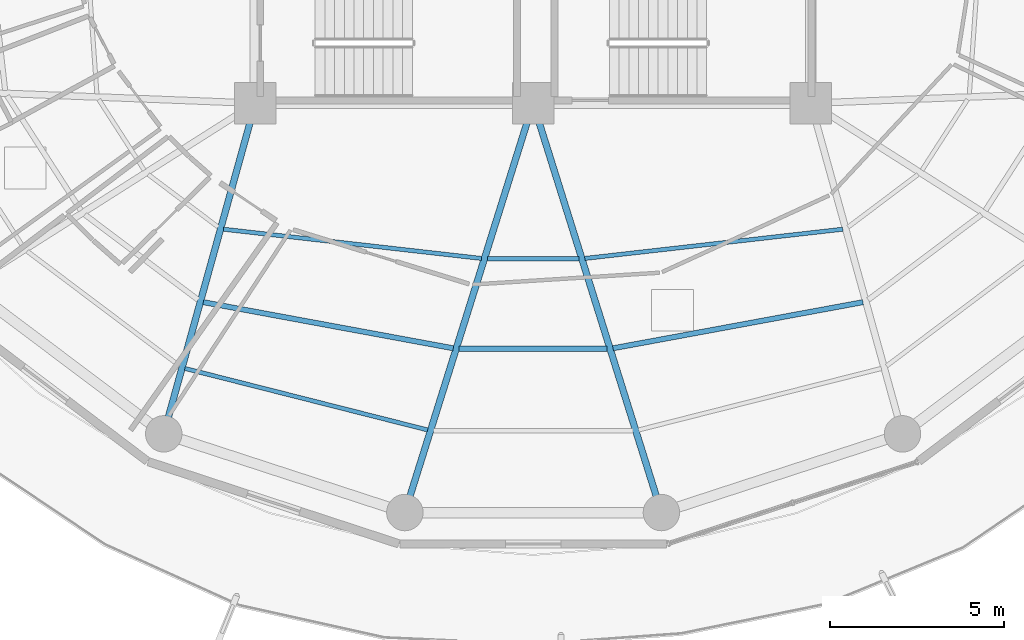
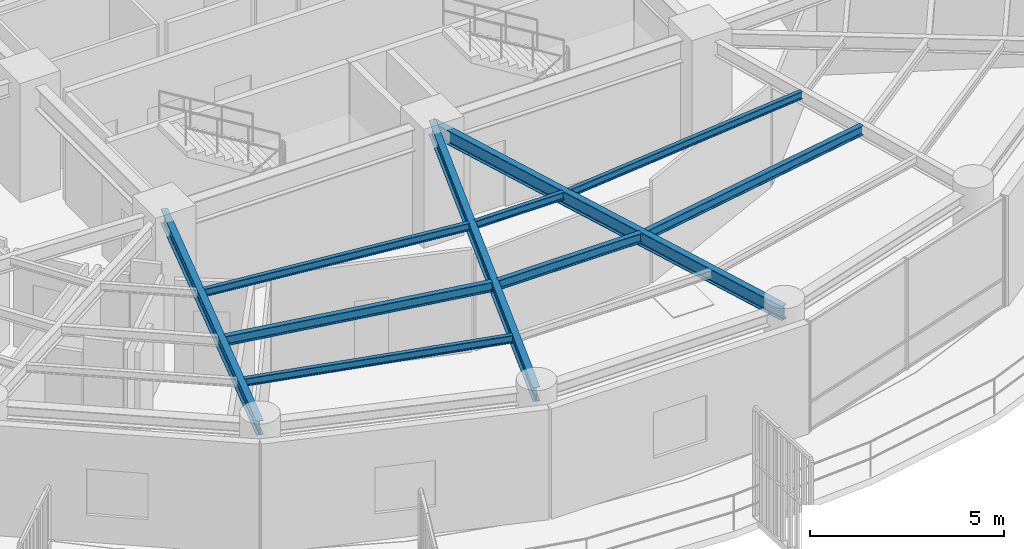
# One storey, part 5 of 30: 10 beams.
"""IFC4 building model written with IfcOpenShell, lengths in metres."""

from ifc_helpers import new_model, si_unit, direction, frame, origin, origin_2d, place, context, subcontext, project, spatial, i_section, extrude, material, material_profile, profile_set, type_object, element, save


model = new_model("IFC4")

# Units and contexts
model_context = context("Model", 3, precision=1e-05, world=origin(), true_north=direction((0.0, 1.0)))
body_context = subcontext(model_context, "Body", "Model", "MODEL_VIEW")
ifc_project = project(units=[si_unit("LENGTHUNIT", "METRE"), si_unit("AREAUNIT", "SQUARE_METRE"), si_unit("VOLUMEUNIT", "CUBIC_METRE"), si_unit("PLANEANGLEUNIT", "RADIAN"), si_unit("MASSUNIT", "GRAM", prefix="KILO")], contexts=[model_context])

# Site, building, storey
site_placement = place(None, origin())
site = spatial("IfcSite", under=ifc_project, at=site_placement, CompositionType="ELEMENT")
building_placement = place(site_placement, origin())
building = spatial("IfcBuilding", under=site, at=building_placement, Name="Kelanora Arch Commons", CompositionType="ELEMENT")
storey_placement = place(building_placement, frame((0.0, 0.0, 211.949951171875)))
storey = spatial("IfcBuildingStorey", under=building, at=storey_placement, Name="L54", CompositionType="ELEMENT", Elevation=211.949951171875)

# Beams
ifc_material = material(Name="Steel S355", Category="steel")
ifc_material_profile_1 = material_profile(ifc_material, i_section(OverallWidth=0.14990234375, OverallDepth=0.300048828125, WebThickness=0.007080078125, FlangeThickness=0.0107421875, FilletRadius=0.014892578125, at=origin_2d()), Name="IPE300")
ifc_profile_set_1 = profile_set([ifc_material_profile_1], Name="Steel S355")
beam_type_1 = type_object("IfcBeamType", Name="BM-JST-01", PredefinedType="JOIST", material=ifc_profile_set_1)
beam_1_placement = place(storey_placement, frame((64.49951171875, 45.270263671875, 3.340087890625), z_axis=(0.983389964671, -0.181505309519, 0.0), x_axis=(0.181505309519, 0.983389964671, 0.0)))
element("IfcBeam", 1, at=beam_1_placement, inside=storey, type_object=beam_type_1, Name="Secondary Chord Joist BJB-24 L54", PredefinedType="JOIST", context=body_context, shape_type="SweptSolid", body=[
    extrude(i_section(OverallWidth=0.14990234375, OverallDepth=0.300048828125, WebThickness=0.007080078125, FlangeThickness=0.0107421875, FilletRadius=0.014892578125, at=origin_2d()), origin(), (0.0, 0.0, 1.0), 7.3212890625),
])
beam_2_placement = place(storey_placement, frame((71.867919921875, 43.92578125, 3.340087890625), z_axis=(1.0, 0.0, 0.0), x_axis=(0.0, 1.0, 0.0)))
element("IfcBeam", 2, at=beam_2_placement, inside=storey, type_object=beam_type_1, Name="Secondary Chord Joist BJB-26 L54", PredefinedType="JOIST", context=body_context, shape_type="SweptSolid", body=[
    extrude(i_section(OverallWidth=0.14990234375, OverallDepth=0.300048828125, WebThickness=0.007080078125, FlangeThickness=0.0107421875, FilletRadius=0.014892578125, at=origin_2d()), origin(), (0.0, 0.0, 1.0), 4.26416015625),
])
beam_3_placement = place(storey_placement, frame((76.30078125, 43.94140625, 3.340087890625), z_axis=(0.983389964671, 0.181505309519, 0.0), x_axis=(-0.181505309519, 0.983389964671, 0.0)))
element("IfcBeam", 3, at=beam_3_placement, inside=storey, type_object=beam_type_1, Name="Secondary Chord Joist BJB-28 L54", PredefinedType="JOIST", context=body_context, shape_type="SweptSolid", body=[
    extrude(i_section(OverallWidth=0.14990234375, OverallDepth=0.300048828125, WebThickness=0.007080078125, FlangeThickness=0.0107421875, FilletRadius=0.014892578125, at=origin_2d()), origin(), (0.0, 0.0, 1.0), 7.3212890625),
])
ifc_material_profile_2 = material_profile(ifc_material, i_section(OverallWidth=0.1201171875, OverallDepth=0.239990234375, WebThickness=0.006103515625, FlangeThickness=0.009765625, FilletRadius=0.014892578125, at=origin_2d()), Name="IPE240")
ifc_profile_set_2 = profile_set([ifc_material_profile_2], Name="Steel S355")
beam_type_2 = type_object("IfcBeamType", Name="BM-JST-02", PredefinedType="JOIST", material=ifc_profile_set_2)
beam_4_placement = place(storey_placement, frame((65.081298828125, 47.371337890625, 3.3701171875), z_axis=(0.993639672263, -0.11260640171, 0.0), x_axis=(0.11260640171, 0.993639672263, 0.0)))
element("IfcBeam", 4, at=beam_4_placement, inside=storey, type_object=beam_type_2, Name="Secondary Chord Joist BJA-24 L54", PredefinedType="JOIST", context=body_context, shape_type="SweptSolid", body=[
    extrude(i_section(OverallWidth=0.1201171875, OverallDepth=0.239990234375, WebThickness=0.006103515625, FlangeThickness=0.009765625, FilletRadius=0.014892578125, at=origin_2d()), origin(), (0.0, 0.0, 1.0), 7.477783203125),
])
beam_5_placement = place(storey_placement, frame((63.970458984375, 43.360107421875, 3.3701171875), z_axis=(0.969370989998, -0.245601066263, 0.0), x_axis=(0.245601066263, 0.969370989998, 0.0)))
element("IfcBeam", 5, at=beam_5_placement, inside=storey, type_object=beam_type_2, Name="Secondary Chord Joist BJC-24 L54", PredefinedType="JOIST", context=body_context, shape_type="SweptSolid", body=[
    extrude(i_section(OverallWidth=0.1201171875, OverallDepth=0.239990234375, WebThickness=0.006103515625, FlangeThickness=0.009765625, FilletRadius=0.014892578125, at=origin_2d()), origin(), (0.0, 0.0, 1.0), 7.2119140625),
])
beam_6_placement = place(storey_placement, frame((72.680908203125, 46.519775390625, 3.3701171875), z_axis=(1.0, 0.0, 0.0), x_axis=(0.0, 1.0, 0.0)))
element("IfcBeam", 6, at=beam_6_placement, inside=storey, type_object=beam_type_2, Name="Secondary Chord Joist BJA-26 L54", PredefinedType="JOIST", context=body_context, shape_type="SweptSolid", body=[
    extrude(i_section(OverallWidth=0.1201171875, OverallDepth=0.239990234375, WebThickness=0.006103515625, FlangeThickness=0.009765625, FilletRadius=0.014892578125, at=origin_2d()), origin(), (0.0, 0.0, 1.0), 2.63818359375),
])
beam_7_placement = place(storey_placement, frame((75.488525390625, 46.529296875, 3.3701171875), z_axis=(0.993639672263, 0.11260640171, 0.0), x_axis=(-0.11260640171, 0.993639672263, 0.0)))
element("IfcBeam", 7, at=beam_7_placement, inside=storey, type_object=beam_type_2, Name="Secondary Chord Joist BJA-28 L54", PredefinedType="JOIST", context=body_context, shape_type="SweptSolid", body=[
    extrude(i_section(OverallWidth=0.1201171875, OverallDepth=0.239990234375, WebThickness=0.006103515625, FlangeThickness=0.009765625, FilletRadius=0.014892578125, at=origin_2d()), origin(), (0.0, 0.0, 1.0), 7.477783203125),
])
ifc_material_profile_3 = material_profile(ifc_material, i_section(OverallWidth=0.18994140625, OverallDepth=0.449951171875, WebThickness=0.009521484375, FlangeThickness=0.0146484375, FilletRadius=0.02099609375, at=origin_2d()), Name="IPE450")
ifc_profile_set_3 = profile_set([ifc_material_profile_3], Name="Steel S355")
beam_type_3 = type_object("IfcBeamType", Name="BM-RAD-Z4", PredefinedType="BEAM", material=ifc_profile_set_3)
beam_8_placement = place(storey_placement, frame((66.0, 51.0, 3.26513671875), z_axis=(-0.267120164296, -0.963663228429, 0.0), x_axis=(0.963663228429, -0.267120164296, 0.0)))
element("IfcBeam", 8, at=beam_8_placement, inside=storey, type_object=beam_type_3, Name="Radial Floor Girder BR-24 L54", PredefinedType="BEAM", context=body_context, shape_type="SweptSolid", body=[
    extrude(i_section(OverallWidth=0.18994140625, OverallDepth=0.449951171875, WebThickness=0.009521484375, FlangeThickness=0.0146484375, FilletRadius=0.02099609375, at=origin_2d()), origin(), (0.0, 0.0, 1.0), 9.8828125),
])
for number, where, z_axis, x_axis, name in (
    (9, (74.0, 51.0, 3.26513671875), (-0.299080457492, -0.954227897279, 0.0), (0.954227897279, -0.299080457492, 0.0), "Radial Floor Girder BR-26 L54"),
    (10, (74.0, 51.0, 3.26513671875), (0.299080457492, -0.954227897279, 0.0), (0.954227897279, 0.299080457492, 0.0), "Radial Floor Girder BR-28 L54"),
):
    element("IfcBeam", number, at=place(storey_placement, frame(where, z_axis=z_axis, x_axis=x_axis)), inside=storey, type_object=beam_type_3, Name=name, PredefinedType="BEAM", context=body_context, shape_type="SweptSolid", body=[
        extrude(i_section(OverallWidth=0.18994140625, OverallDepth=0.449951171875, WebThickness=0.009521484375, FlangeThickness=0.0146484375, FilletRadius=0.02099609375, at=origin_2d()), origin(), (0.0, 0.0, 1.0), 12.35546875),
    ])

save(model, "model.ifc")
